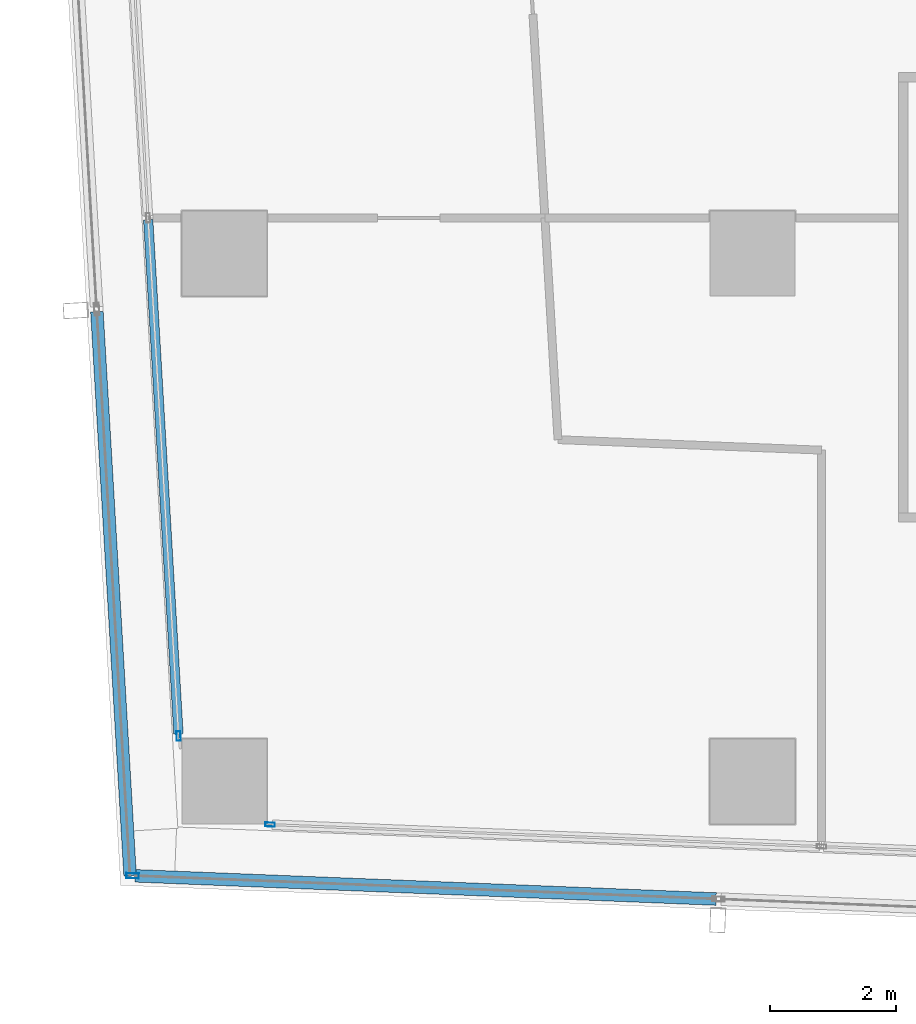
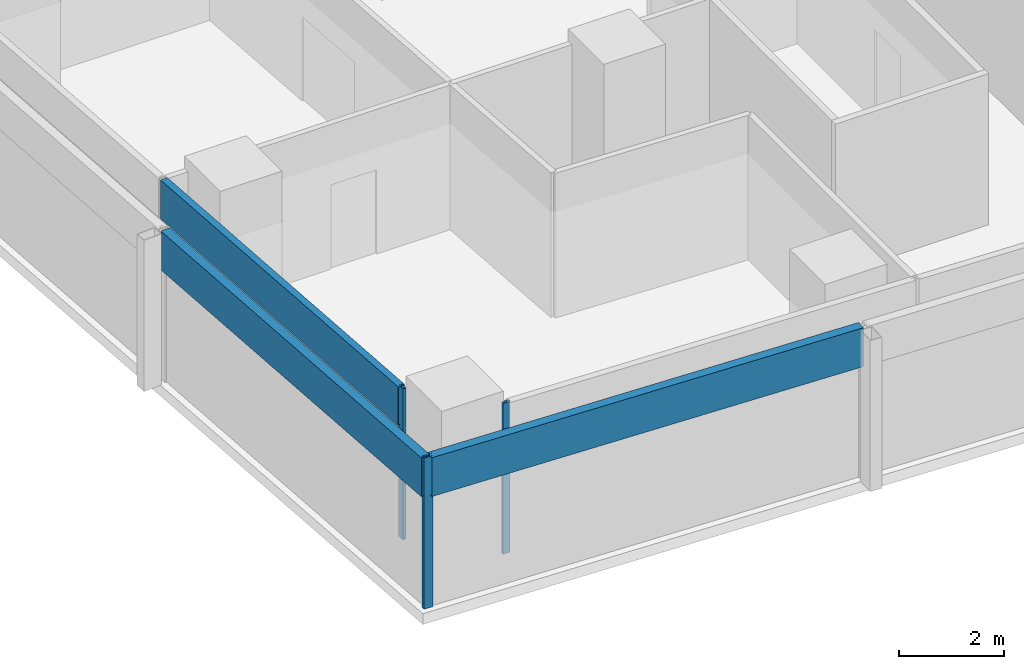
# One storey, part 2 of 39: 6 members, 4 elements without a shape of their own.
"""IFC4 building model written with IfcOpenShell, lengths in metres."""

from ifc_helpers import new_model, si_unit, direction, frame, origin, origin_2d, place, context, subcontext, project, spatial, hollow_rectangle, extrude, material, material_profile, profile_set, type_object, element, aggregate, save


model = new_model("IFC4")

# Units and contexts
model_context = context("Model", 3, precision=1e-05, world=origin(), true_north=direction((0.0, 1.0)))
body_context = subcontext(model_context, "Body", "Model", "MODEL_VIEW")
ifc_project = project(units=[si_unit("LENGTHUNIT", "METRE"), si_unit("AREAUNIT", "SQUARE_METRE"), si_unit("VOLUMEUNIT", "CUBIC_METRE"), si_unit("PLANEANGLEUNIT", "RADIAN"), si_unit("MASSUNIT", "GRAM", prefix="KILO")], contexts=[model_context])

# Site, building, storey
site_placement = place(None, origin())
site = spatial("IfcSite", under=ifc_project, at=site_placement, CompositionType="ELEMENT")
building_placement = place(site_placement, origin())
building = spatial("IfcBuilding", under=site, at=building_placement, Name="Rekha Terrace Tower", CompositionType="ELEMENT")
storey_placement = place(building_placement, frame((0.0, 0.0, 217.699951171875)))
storey = spatial("IfcBuildingStorey", under=building, at=storey_placement, Name="L55", CompositionType="ELEMENT", Elevation=217.699951171875)

# Curtain wall, member
ifc_material_1 = material(Name="Aluminium framing", Category="aluminium")
curtain_wall_type_1 = type_object("IfcCurtainWallType", Name="CW1 double skin inner glazing", PredefinedType="USERDEFINED", material=ifc_material_1)
curtain_wall_1_placement = place(storey_placement, origin())
curtain_wall_1 = element("IfcCurtainWall", 1, at=curtain_wall_1_placement, inside=storey, type_object=curtain_wall_type_1, Name="CW1 double skin inner glazing", ObjectType="DOUBLE SKIN INNER GLAZING", PredefinedType="USERDEFINED")
ifc_material_2 = material(Name="Aluminium mullion section", Category="aluminium")
ifc_material_profile_1 = material_profile(ifc_material_2, hollow_rectangle(XDim=0.06494140625, YDim=0.14990234375, WallThickness=0.00390625, at=origin_2d()), Name="AL RHS 65x150")
ifc_profile_set_1 = profile_set([ifc_material_profile_1], Name="Aluminium mullion section")
member_type_1 = type_object("IfcMemberType", Name="CW1 mullion RHS 65 x 150", PredefinedType="MULLION", material=ifc_profile_set_1)
member_1_placement = place(storey_placement, frame((9.127197265625, 16.115966796875, 0.0), z_axis=(0.0, 0.0, 1.0), x_axis=(0.039872497061, 0.999204775798, 0.0)))
member_1 = element("IfcMember", 2, at=member_1_placement, type_object=member_type_1, Name="CW1 mullion 1", PredefinedType="MULLION", context=body_context, shape_type="SweptSolid", body=[
    extrude(hollow_rectangle(XDim=0.06494140625, YDim=0.14990234375, WallThickness=0.00390625, at=origin_2d()), origin(), (0.0, 0.0, 1.0), 3.5),
])
aggregate(curtain_wall_1, [member_1])

# Curtain wall, members
curtain_wall_2_placement = place(storey_placement, origin())
curtain_wall_2 = element("IfcCurtainWall", 3, at=curtain_wall_2_placement, inside=storey, type_object=curtain_wall_type_1, Name="CW1 double skin inner glazing", ObjectType="DOUBLE SKIN INNER GLAZING", PredefinedType="USERDEFINED")
member_2_placement = place(storey_placement, frame((7.672119140625, 17.5244140625, 0.0), z_axis=(0.0, 0.0, 1.0), x_axis=(0.998271839269, 0.058765082516, 0.0)))
member_2 = element("IfcMember", 4, at=member_2_placement, type_object=member_type_1, Name="CW1 mullion 4", PredefinedType="MULLION", context=body_context, shape_type="SweptSolid", body=[
    extrude(hollow_rectangle(XDim=0.06494140625, YDim=0.14990234375, WallThickness=0.00390625, at=origin_2d()), origin(), (0.0, 0.0, 1.0), 3.5),
])
ifc_material_3 = material(Name="Insulated aluminium spandrel box", Category="aluminium")
ifc_material_profile_2 = material_profile(ifc_material_3, hollow_rectangle(XDim=0.14990234375, YDim=0.89990234375, WallThickness=0.0029296875, at=origin_2d()), Name="AL SPANDREL BOX 150x900")
ifc_profile_set_2 = profile_set([ifc_material_profile_2], Name="Insulated aluminium spandrel box")
member_type_2 = type_object("IfcMemberType", Name="CW1 spandrel transom 150 x 900", PredefinedType="USERDEFINED", material=ifc_profile_set_2)
member_3_placement = place(storey_placement, frame((7.188720703125, 25.733642578125, 3.050048828125), z_axis=(0.058777934282, -0.998271082643, 0.0), x_axis=(0.998271082643, 0.058777934282, 0.0)))
member_3 = element("IfcMember", 5, at=member_3_placement, type_object=member_type_2, Name="CW1 spandrel transom 3", ObjectType="TRANSOM", PredefinedType="USERDEFINED", context=body_context, shape_type="SweptSolid", body=[
    extrude(hollow_rectangle(XDim=0.14990234375, YDim=0.89990234375, WallThickness=0.0029296875, at=origin_2d()), origin(), (0.0, 0.0, 1.0), 8.19091796875),
])
aggregate(curtain_wall_2, [member_2, member_3])

curtain_wall_type_2 = type_object("IfcCurtainWallType", Name="CW2 double skin outer glazing", PredefinedType="USERDEFINED", material=ifc_material_1)
curtain_wall_3_placement = place(storey_placement, origin())
curtain_wall_3 = element("IfcCurtainWall", 6, at=curtain_wall_3_placement, inside=storey, type_object=curtain_wall_type_2, Name="CW2 double skin outer glazing", ObjectType="DOUBLE SKIN OUTER GLAZING", PredefinedType="USERDEFINED")
ifc_material_profile_3 = material_profile(ifc_material_2, hollow_rectangle(XDim=0.080078125, YDim=0.199951171875, WallThickness=0.00390625, at=origin_2d()), Name="AL RHS 80x200")
ifc_profile_set_3 = profile_set([ifc_material_profile_3], Name="Aluminium mullion section")
member_type_3 = type_object("IfcMemberType", Name="CW2 mullion RHS 80 x 200", PredefinedType="MULLION", material=ifc_profile_set_3)
member_4_placement = place(storey_placement, frame((6.941162109375, 15.302490234375, 0.0), z_axis=(0.0, 0.0, 1.0), x_axis=(0.039872497044, 0.999204775799, 0.0)))
member_4 = element("IfcMember", 7, at=member_4_placement, type_object=member_type_3, Name="CW2 mullion 1", PredefinedType="MULLION", context=body_context, shape_type="SweptSolid", body=[
    extrude(hollow_rectangle(XDim=0.080078125, YDim=0.199951171875, WallThickness=0.00390625, at=origin_2d()), origin(), (0.0, 0.0, 1.0), 3.5),
])
ifc_material_profile_4 = material_profile(ifc_material_3, hollow_rectangle(XDim=0.199951171875, YDim=0.89990234375, WallThickness=0.0029296875, at=origin_2d()), Name="AL SPANDREL BOX 200x900")
ifc_profile_set_4 = profile_set([ifc_material_profile_4], Name="Insulated aluminium spandrel box")
member_type_4 = type_object("IfcMemberType", Name="CW2 spandrel transom 200 x 900", PredefinedType="USERDEFINED", material=ifc_profile_set_4)
member_5_placement = place(storey_placement, frame((6.981201171875, 15.301025390625, 3.050048828125), z_axis=(0.999203782278, -0.039897386899, 0.0), x_axis=(0.039897386899, 0.999203782278, 0.0)))
member_5 = element("IfcMember", 8, at=member_5_placement, type_object=member_type_4, Name="CW2 spandrel transom 1", ObjectType="TRANSOM", PredefinedType="USERDEFINED", context=body_context, shape_type="SweptSolid", body=[
    extrude(hollow_rectangle(XDim=0.199951171875, YDim=0.89990234375, WallThickness=0.0029296875, at=origin_2d()), origin(), (0.0, 0.0, 1.0), 9.24609375),
])
aggregate(curtain_wall_3, [member_4, member_5])

# Curtain wall, member
curtain_wall_4_placement = place(storey_placement, origin())
curtain_wall_4 = element("IfcCurtainWall", 9, at=curtain_wall_4_placement, inside=storey, type_object=curtain_wall_type_2, Name="CW2 double skin outer glazing", ObjectType="DOUBLE SKIN OUTER GLAZING", PredefinedType="USERDEFINED")
member_6_placement = place(storey_placement, frame((6.373291015625, 24.27197265625, 3.050048828125), z_axis=(0.058757071111, -0.998272310842, 0.0), x_axis=(0.998272310842, 0.058757071111, 0.0)))
member_6 = element("IfcMember", 10, at=member_6_placement, type_object=member_type_4, Name="CW2 spandrel transom 3", ObjectType="TRANSOM", PredefinedType="USERDEFINED", context=body_context, shape_type="SweptSolid", body=[
    extrude(hollow_rectangle(XDim=0.199951171875, YDim=0.89990234375, WallThickness=0.0029296875, at=origin_2d()), origin(), (0.0, 0.0, 1.0), 8.9833984375),
])
aggregate(curtain_wall_4, [member_6])

save(model, "model.ifc")
